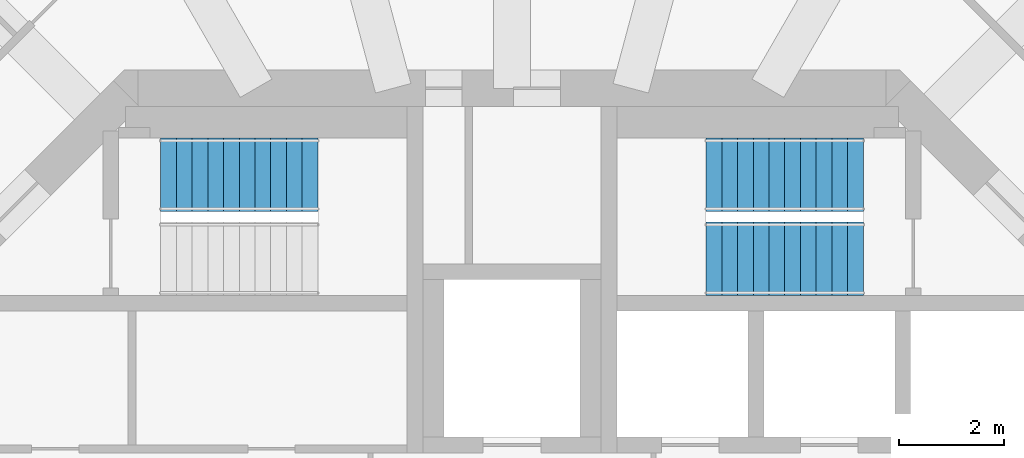
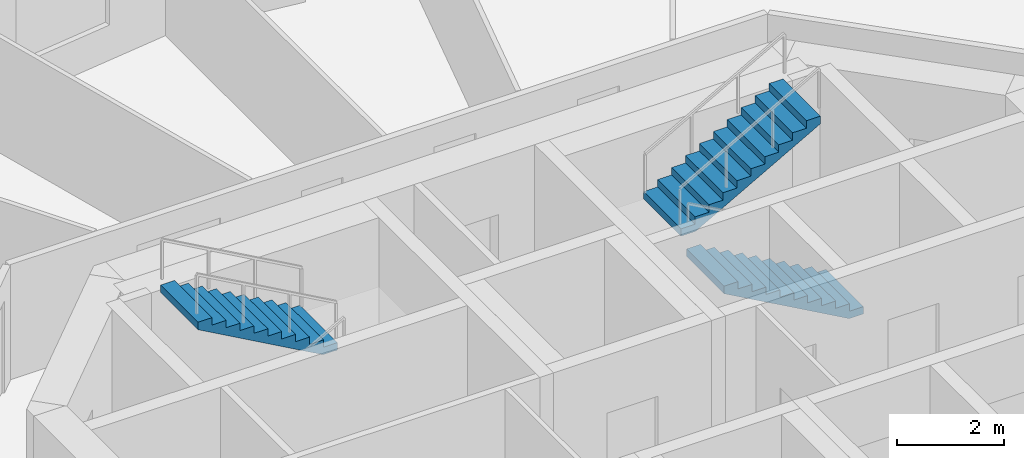
# One storey, part 7 of 9: 3 stair flights, 2 elements without a shape of their own.
"""IFC4 building model written with IfcOpenShell, lengths in metres."""

import ifcopenshell
import ifcopenshell.guid

model = None  # the IFC model being written
_history = None  # IfcOwnerHistory: only IFC2X3 demands one
_inside = {}  # id of a spatial element -> (the spatial element, [elements in it])
_under = {}  # id of a project, library or spatial element -> (it, [spatial elements below it])
_declared = {}  # id of a project -> (the project, [libraries it declares])
_typed = {}  # id of a type object -> (the type object, [elements of that type])
_made_of = {}  # id of a material, layer set ... -> (it, [elements and type objects made of it])


def new_model(schema):
    """Start an empty IFC model of exactly this schema.

    Asked for "IFC4X3", IfcOpenShell would pick the latest addendum, in which some entities
    have other attributes; the version numbers below select the first issue.
    IFC2X3 requires an IfcOwnerHistory on every rooted entity: one is made here for all.
    """
    global model, _history
    if schema == "IFC4X3":
        model = ifcopenshell.file(schema_version=(4, 3, 0, 0))
    else:
        model = ifcopenshell.file(schema=schema)
    _inside.clear()
    _under.clear()
    _declared.clear()
    _typed.clear()
    _made_of.clear()
    _history = None
    if model.schema == "IFC2X3":
        org = make("IfcOrganization", Name="unknown")
        user = make(
            "IfcPersonAndOrganization",
            ThePerson=make("IfcPerson", FamilyName="unknown"),
            TheOrganization=org,
        )
        app = make(
            "IfcApplication",
            ApplicationDeveloper=org,
            Version="unknown",
            ApplicationFullName="unknown",
            ApplicationIdentifier="unknown",
        )
        _history = make(
            "IfcOwnerHistory",
            OwningUser=user,
            OwningApplication=app,
            ChangeAction="ADDED",
            CreationDate=0,
        )
    return model


def make(cls, **values):
    """One entity of the class cls with the attributes given. An attribute that is None is left unset."""
    return model.create_entity(
        cls, **{name: value for name, value in values.items() if value is not None}
    )


def rooted(cls, **values):
    """An entity with a GlobalId (a new one), such as an element, a storey or a relation."""
    return make(cls, GlobalId=ifcopenshell.guid.new(), OwnerHistory=_history, **values)


def si_unit(unit_type, name, prefix=None):
    """IfcSIUnit, for example si_unit("LENGTHUNIT", "METRE", prefix="MILLI")."""
    return make("IfcSIUnit", UnitType=unit_type, Prefix=prefix, Name=name)


def assignment(units):
    """IfcUnitAssignment: the units of a project."""
    return None if units is None else make("IfcUnitAssignment", Units=units)


def point(xyz):
    """IfcCartesianPoint."""
    return None if xyz is None else make("IfcCartesianPoint", Coordinates=xyz)


def direction(xyz):
    """IfcDirection."""
    return None if xyz is None else make("IfcDirection", DirectionRatios=xyz)


def frame(location, z_axis=None, x_axis=None):
    """IfcAxis2Placement3D, a coordinate frame: its origin and axes. An axis left out is left unset."""
    return make(
        "IfcAxis2Placement3D",
        Location=point(location),
        Axis=direction(z_axis),
        RefDirection=direction(x_axis),
    )


def origin():
    """The frame at (0, 0, 0) with its axes left unset."""
    return frame((0.0, 0.0, 0.0))


def place(relative_to, where):
    """IfcLocalPlacement: puts the frame where relative to a parent placement (None: the world)."""
    return make(
        "IfcLocalPlacement", PlacementRelTo=relative_to, RelativePlacement=where
    )


def context(
    kind, dimensions, precision=None, world=None, true_north=None, identifier=None
):
    """IfcGeometricRepresentationContext, for example the 3D "Model" context."""
    return make(
        "IfcGeometricRepresentationContext",
        ContextIdentifier=identifier,
        ContextType=kind,
        CoordinateSpaceDimension=dimensions,
        Precision=precision,
        WorldCoordinateSystem=world,
        TrueNorth=true_north,
    )


def subcontext(parent, identifier, kind, view, scale=None):
    """IfcGeometricRepresentationSubContext, for example "Body" below "Model"."""
    return make(
        "IfcGeometricRepresentationSubContext",
        ContextIdentifier=identifier,
        ContextType=kind,
        ParentContext=parent,
        TargetScale=scale,
        TargetView=view,
    )


def project(units=None, contexts=None):
    """IfcProject with its units and contexts."""
    return rooted(
        "IfcProject",
        Name="project",
        RepresentationContexts=contexts,
        UnitsInContext=assignment(units),
    )


def spatial(cls, under=None, at=None, **own):
    """A site, building, storey or space (cls), placed at a placement, below another one or the project."""
    s = rooted(cls, ObjectPlacement=at, **own)
    if under is not None:
        _under.setdefault(under.id(), (under, []))[1].append(s)
    return s


def polyline(points):
    """IfcPolyline through the points."""
    return make("IfcPolyline", Points=[point(p) for p in points])


def outline(outer, holes=None, kind="AREA"):
    """IfcArbitraryClosedProfileDef: a profile drawn as a closed curve; with holes, ...WithVoids."""
    if holes is None:
        return make("IfcArbitraryClosedProfileDef", ProfileType=kind, OuterCurve=outer)
    return make(
        "IfcArbitraryProfileDefWithVoids",
        ProfileType=kind,
        OuterCurve=outer,
        InnerCurves=holes,
    )


def extrude(swept, where, along, depth):
    """IfcExtrudedAreaSolid: the profile swept, set in the frame where, extruded along a direction by depth."""
    return make(
        "IfcExtrudedAreaSolid",
        SweptArea=swept,
        Position=where,
        ExtrudedDirection=direction(along),
        Depth=depth,
    )


def shape(context_of_items, identifier, shape_type, items):
    """IfcShapeRepresentation: the items that make up one representation, for example the "Body"."""
    return make(
        "IfcShapeRepresentation",
        ContextOfItems=context_of_items,
        RepresentationIdentifier=identifier,
        RepresentationType=shape_type,
        Items=items,
    )


def material(Name=None, Category=None):
    """IfcMaterial."""
    return make("IfcMaterial", Name=Name, Category=Category)


def made_of(thing, what):
    """Note that an element or type object is made of a material, layer set ...; save() writes the relation."""
    if what is not None:
        _made_of.setdefault(what.id(), (what, []))[1].append(thing)
    return thing


def type_object(cls, material=None, **own):
    """A type object (cls), such as IfcWallType, which elements share."""
    return made_of(rooted(cls, **own), material)


def element(
    cls,
    number,
    at=None,
    inside=None,
    cuts=None,
    type_object=None,
    material=None,
    context=None,
    identifier="Body",
    shape_type=None,
    held_by="IfcProductDefinitionShape",
    body=None,
    shapes=None,
    **own,
):
    """One element of the class cls, such as IfcWall. Its Tag is "e" and its number.

    at: its placement. inside: the storey or other place that contains it. cuts: it is an
    opening in that element (IfcRelVoidsElement). A single representation is given by context,
    identifier, shape_type and body (its items); several are given by shapes. held_by: the class
    of the entity that holds the representations. save() writes the other relations.
    """
    e = rooted(cls, Tag="e%d" % number, ObjectPlacement=at, **own)
    if body is not None:
        shapes = [shape(context, identifier, shape_type, body)]
    if shapes is not None:
        e.Representation = make(held_by, Representations=shapes)
    if inside is not None:
        _inside.setdefault(inside.id(), (inside, []))[1].append(e)
    if cuts is not None:
        rooted(
            "IfcRelVoidsElement", RelatingBuildingElement=cuts, RelatedOpeningElement=e
        )
    if type_object is not None:
        _typed.setdefault(type_object.id(), (type_object, []))[1].append(e)
    return made_of(e, material)


def aggregate(whole, parts):
    """IfcRelAggregates: a whole, such as a stair, and the parts it consists of."""
    return rooted("IfcRelAggregates", RelatingObject=whole, RelatedObjects=parts)


def save(model, path):
    """Write the relations noted so far, then the file.

    IfcRelAggregates (storeys below a building ...), IfcRelContainedInSpatialStructure (elements
    in a storey), IfcRelDefinesByType, IfcRelAssociatesMaterial and IfcRelDeclares: one each for
    every whole, place, type object, material and project.
    """
    for whole, parts in _under.values():
        aggregate(whole, parts)
    for where, things in _inside.values():
        rooted(
            "IfcRelContainedInSpatialStructure",
            RelatedElements=things,
            RelatingStructure=where,
        )
    for kind, things in _typed.values():
        rooted("IfcRelDefinesByType", RelatedObjects=things, RelatingType=kind)
    for what, things in _made_of.values():
        rooted("IfcRelAssociatesMaterial", RelatedObjects=things, RelatingMaterial=what)
    for by, libraries in _declared.values():
        rooted("IfcRelDeclares", RelatingContext=by, RelatedDefinitions=libraries)
    model.write(path)


model = new_model("IFC4")

# Units and contexts
model_context = context("Model", 3, precision=1e-05, world=origin(), true_north=direction((0.0, 1.0)))
body_context = subcontext(model_context, "Body", "Model", "MODEL_VIEW")
ifc_project = project(units=[si_unit("LENGTHUNIT", "METRE"), si_unit("AREAUNIT", "SQUARE_METRE"), si_unit("VOLUMEUNIT", "CUBIC_METRE"), si_unit("PLANEANGLEUNIT", "RADIAN"), si_unit("MASSUNIT", "GRAM", prefix="KILO")], contexts=[model_context])

# Site, building, storey
site_placement = place(None, origin())
site = spatial("IfcSite", under=ifc_project, at=site_placement, CompositionType="ELEMENT")
building_placement = place(site_placement, origin())
building = spatial("IfcBuilding", under=site, at=building_placement, Name="Torre Triforio", CompositionType="ELEMENT")
storey_placement = place(building_placement, frame((0.0, 0.0, 180.10009765625)))
storey = spatial("IfcBuildingStorey", under=building, at=storey_placement, Name="L41", CompositionType="ELEMENT", Elevation=180.10009765625)

# Stair, stair flight
ifc_material = material(Name="Concrete C40", Category="concrete")
stair_type = type_object("IfcStairType", Name="STAIR HALF-TURN", PredefinedType="HALF_TURN_STAIR", material=ifc_material)
stair_1_placement = place(storey_placement, origin())
stair_1 = element("IfcStair", 1, at=stair_1_placement, inside=storey, type_object=stair_type, Name="Exit stair 1", PredefinedType="HALF_TURN_STAIR")
stair_flight_type = type_object("IfcStairFlightType", Name="STAIR FLIGHT 1400", PredefinedType="STRAIGHT", material=ifc_material)
stair_flight_1_placement = place(storey_placement, frame((-3.699951171875, 6.800048828125, 1.849853515625), z_axis=(0.0, 0.0, 1.0), x_axis=(-1.0, 0.0, 0.0)))
stair_flight_1 = element("IfcStairFlight", 2, at=stair_flight_1_placement, type_object=stair_flight_type, Name="ST1 flight 2", NumberOfRisers=11, NumberOfTreads=10, PredefinedType="STRAIGHT", RiserHeight=0.168181818, TreadLength=0.3, context=body_context, shape_type="SweptSolid", body=[
    extrude(outline(polyline([(0.0, 0.0), (0.0, 0.168212890625), (0.300048828125, 0.168212890625), (0.300048828125, 0.33642578125), (0.60009765625, 0.33642578125), (0.60009765625, 0.504638671875), (0.89990234375, 0.504638671875), (0.89990234375, 0.672607421875), (1.199951171875, 0.672607421875), (1.199951171875, 0.8408203125), (1.5, 0.8408203125), (1.5, 1.009033203125), (1.800048828125, 1.009033203125), (1.800048828125, 1.17724609375), (2.10009765625, 1.17724609375), (2.10009765625, 1.345458984375), (2.39990234375, 1.345458984375), (2.39990234375, 1.513671875), (2.699951171875, 1.513671875), (2.699951171875, 1.681884765625), (3.0, 1.681884765625), (3.0, 1.85009765625), (3.0, 1.510009765625), (0.306640625, 0.0), (0.0, 0.0)])), frame((0.0, 0.699951171875, 0.0), z_axis=(0.0, -1.0, 0.0), x_axis=(1.0, 0.0, 0.0)), (0.0, 0.0, 1.0), 1.39990234375),
])
aggregate(stair_1, [stair_flight_1])

# Stair, stair flights
stair_2_placement = place(storey_placement, origin())
stair_2 = element("IfcStair", 3, at=stair_2_placement, inside=storey, type_object=stair_type, Name="Exit stair 2", PredefinedType="HALF_TURN_STAIR")
stair_flight_2_placement = place(storey_placement, frame((6.699951171875, 5.199951171875, 0.0), z_axis=(0.0, 0.0, 1.0), x_axis=(-1.0, 0.0, 0.0)))
stair_flight_2 = element("IfcStairFlight", 4, at=stair_flight_2_placement, type_object=stair_flight_type, Name="ST2 flight 1", NumberOfRisers=11, NumberOfTreads=10, PredefinedType="STRAIGHT", RiserHeight=0.168181818, TreadLength=0.3, context=body_context, shape_type="SweptSolid", body=[
    extrude(outline(polyline([(0.0, 0.0), (0.0, 0.168212890625), (0.300048828125, 0.168212890625), (0.300048828125, 0.33642578125), (0.60009765625, 0.33642578125), (0.60009765625, 0.504638671875), (0.89990234375, 0.504638671875), (0.89990234375, 0.672607421875), (1.199951171875, 0.672607421875), (1.199951171875, 0.8408203125), (1.5, 0.8408203125), (1.5, 1.009033203125), (1.800048828125, 1.009033203125), (1.800048828125, 1.17724609375), (2.10009765625, 1.17724609375), (2.10009765625, 1.345458984375), (2.39990234375, 1.345458984375), (2.39990234375, 1.513671875), (2.699951171875, 1.513671875), (2.699951171875, 1.681884765625), (3.0, 1.681884765625), (3.0, 1.85009765625), (3.0, 1.510009765625), (0.306640625, 0.0), (0.0, 0.0)])), frame((0.0, 0.699951171875, 0.0), z_axis=(0.0, -1.0, 0.0), x_axis=(1.0, 0.0, 0.0)), (0.0, 0.0, 1.0), 1.39990234375),
])
stair_flight_3_placement = place(storey_placement, frame((3.699951171875, 6.800048828125, 1.849853515625), z_axis=(0.0, 0.0, 1.0), x_axis=(1.0, 0.0, 0.0)))
stair_flight_3 = element("IfcStairFlight", 5, at=stair_flight_3_placement, type_object=stair_flight_type, Name="ST2 flight 2", NumberOfRisers=11, NumberOfTreads=10, PredefinedType="STRAIGHT", RiserHeight=0.168181818, TreadLength=0.3, context=body_context, shape_type="SweptSolid", body=[
    extrude(outline(polyline([(0.0, 0.0), (0.0, 0.168212890625), (0.300048828125, 0.168212890625), (0.300048828125, 0.33642578125), (0.60009765625, 0.33642578125), (0.60009765625, 0.504638671875), (0.89990234375, 0.504638671875), (0.89990234375, 0.672607421875), (1.199951171875, 0.672607421875), (1.199951171875, 0.8408203125), (1.5, 0.8408203125), (1.5, 1.009033203125), (1.800048828125, 1.009033203125), (1.800048828125, 1.17724609375), (2.10009765625, 1.17724609375), (2.10009765625, 1.345458984375), (2.39990234375, 1.345458984375), (2.39990234375, 1.513671875), (2.699951171875, 1.513671875), (2.699951171875, 1.681884765625), (3.0, 1.681884765625), (3.0, 1.85009765625), (3.0, 1.510009765625), (0.306640625, 0.0), (0.0, 0.0)])), frame((0.0, 0.699951171875, 0.0), z_axis=(0.0, -1.0, 0.0), x_axis=(1.0, 0.0, 0.0)), (0.0, 0.0, 1.0), 1.39990234375),
])
aggregate(stair_2, [stair_flight_2, stair_flight_3])

save(model, "model.ifc")
